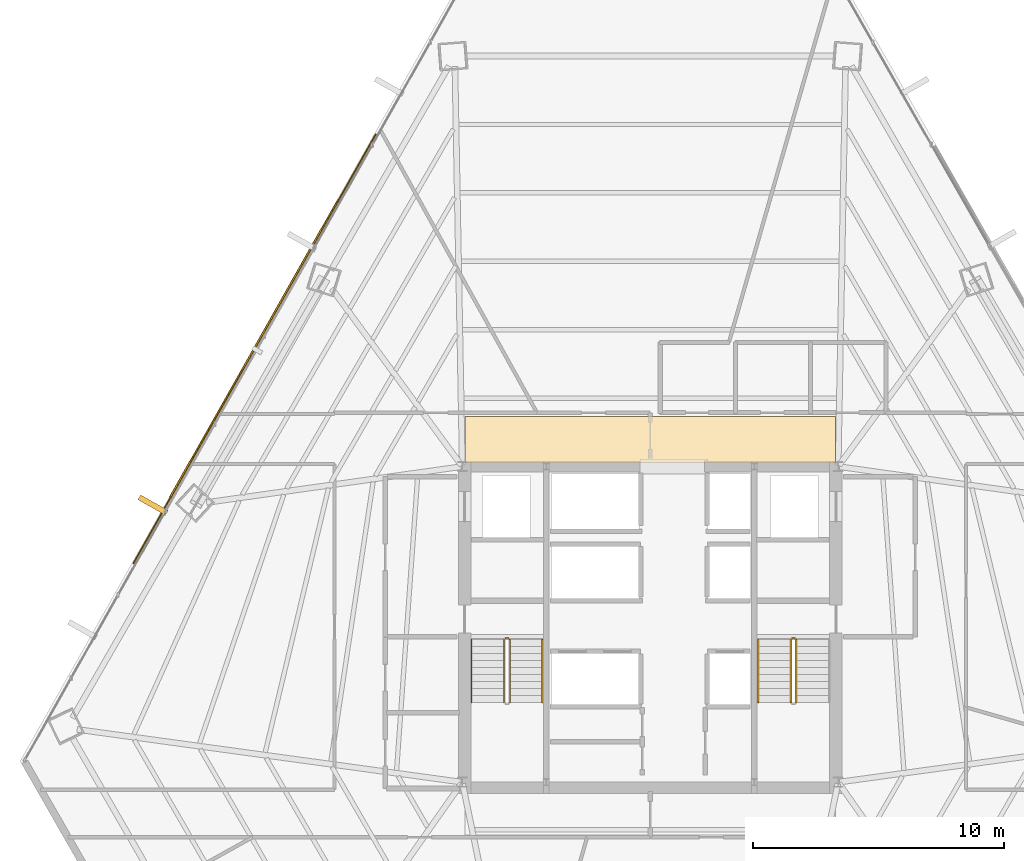
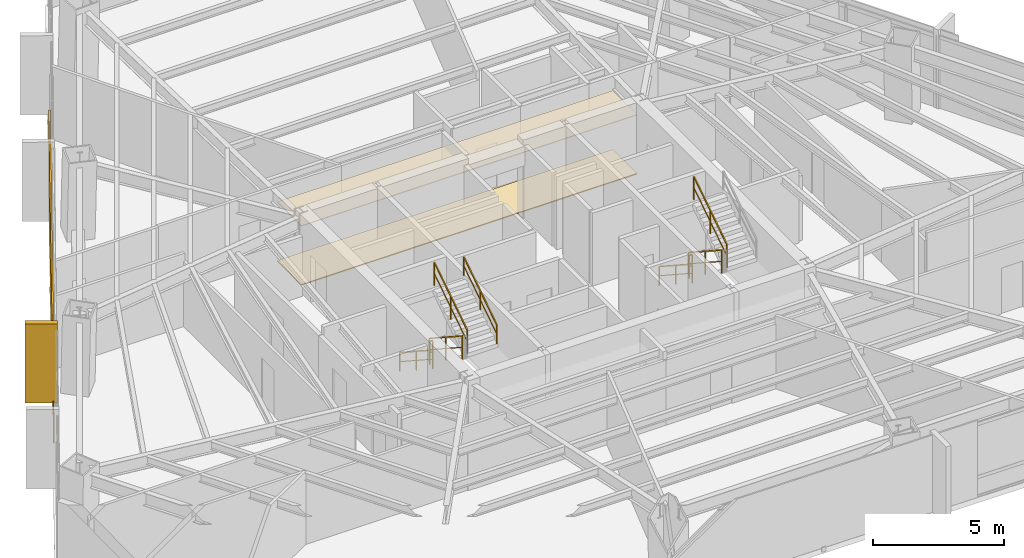
# One storey, part 34 of 35: 9 railings, 4 coverings, 1 shading device.
"""IFC4 building model written with IfcOpenShell, lengths in metres."""

from ifc_helpers import new_model, si_unit, direction, frame, origin, origin_2d, place, context, subcontext, project, spatial, polyline, rectangle, outline, extrude, source, transform, mapped, material, layer, layer_set, type_object, type_shapes, element, save


model = new_model("IFC4")

# Units and contexts
model_context = context("Model", 3, precision=1e-05, world=origin(), true_north=direction((0.0, 1.0)))
body_context = subcontext(model_context, "Body", "Model", "MODEL_VIEW")
ifc_project = project(units=[si_unit("LENGTHUNIT", "METRE"), si_unit("AREAUNIT", "SQUARE_METRE"), si_unit("VOLUMEUNIT", "CUBIC_METRE"), si_unit("PLANEANGLEUNIT", "RADIAN"), si_unit("MASSUNIT", "GRAM", prefix="KILO")], contexts=[model_context])

# Site, building, storey
site_placement = place(None, origin())
site = spatial("IfcSite", under=ifc_project, at=site_placement, CompositionType="ELEMENT")
building_placement = place(site_placement, origin())
building = spatial("IfcBuilding", under=site, at=building_placement, Name="Caelisora Broadcast Tower", CompositionType="ELEMENT")
storey_placement = place(building_placement, frame((0.0, 0.0, 87.14990234375)))
storey = spatial("IfcBuildingStorey", under=building, at=storey_placement, Name="L22", CompositionType="ELEMENT", Elevation=87.14990234375)

# Coverings
ifc_material_1 = material(Name="Perforated Mineral-Fibre Acoustic Ceiling Tile", Category="gypsum")
ifc_layer_1 = layer(ifc_material_1, 0.034912109375, Name="Perforated Mineral-Fibre Acoustic Ceiling Tile")
ifc_layer_set_1 = layer_set([ifc_layer_1], Name="Perforated Mineral-Fibre Acoustic Ceiling Tile")
covering_type_1 = type_object("IfcCoveringType", Name="CE-1", PredefinedType="CEILING", material=ifc_layer_set_1)
covering_1_placement = place(storey_placement, frame((0.0, 0.0, 2.75)))
element("IfcCovering", 1, at=covering_1_placement, inside=storey, type_object=covering_type_1, Name="L22 acoustic corridor ceiling CE-1 (N)", PredefinedType="CEILING", context=body_context, shape_type="SweptSolid", body=[
    extrude(outline(polyline([(30.60009765625, 30.14990234375), (45.39990234375, 30.14990234375), (45.39990234375, 32.0), (30.60009765625, 32.0), (30.60009765625, 30.14990234375)])), origin(), (0.0, 0.0, 1.0), 0.03515625),
])
ifc_material_2 = material(Name="Anti-Static Broadcast Raised Access Floor Panel", Category="steel")
ifc_layer_2 = layer(ifc_material_2, 0.044921875, Name="Anti-Static Broadcast Raised Access Floor Panel")
ifc_layer_set_2 = layer_set([ifc_layer_2], Name="Anti-Static Broadcast Raised Access Floor Panel")
covering_type_2 = type_object("IfcCoveringType", Name="FL-1", PredefinedType="FLOORING", material=ifc_layer_set_2)
covering_2_placement = place(storey_placement, origin())
element("IfcCovering", 2, at=covering_2_placement, inside=storey, type_object=covering_type_2, Name="L22 broadcast raised access floor FL-1 (N)", PredefinedType="FLOORING", context=body_context, shape_type="SweptSolid", body=[
    extrude(outline(polyline([(30.60009765625, 30.14990234375), (45.39990234375, 30.14990234375), (45.39990234375, 32.0), (30.60009765625, 32.0), (30.60009765625, 30.14990234375)])), origin(), (0.0, 0.0, 1.0), 0.045166015625),
])

# Railings
ifc_material_3 = material(Name="Galvanised Steel Safety Guardrail", Category="steel")
ifc_layer_3 = layer(ifc_material_3, 0.048095703125, Name="Galvanised Steel Safety Guardrail")
ifc_layer_set_3 = layer_set([ifc_layer_3], Name="Galvanised Steel Safety Guardrail")
railing_type_1 = type_object("IfcRailingType", Name="GR-1", PredefinedType="GUARDRAIL", material=ifc_layer_set_3)
railing_1_placement = place(storey_placement, frame((32.169921875, 23.10009765625, 0.1826171875)))
element("IfcRailing", 3, at=railing_1_placement, inside=storey, type_object=railing_type_1, Name="L22 ST-1 stair guard 1", PredefinedType="GUARDRAIL", context=body_context, shape_type="SweptSolid", body=[
    extrude(rectangle(XDim=0.048095703125, YDim=0.048095703125, at=origin_2d()), frame((0.0, 0.0, 1.076171875), z_axis=(0.0, -0.837749427056, 0.546054848405), x_axis=(1.0, 0.0, 0.0)), (0.0, 0.0, 1.0), 3.008056640625),
    extrude(rectangle(XDim=0.03125, YDim=0.03125, at=origin_2d()), frame((0.0, 0.0, 0.550048828125), z_axis=(0.0, -0.837749427056, 0.546054848405), x_axis=(1.0, 0.0, 0.0)), (0.0, 0.0, 1.0), 3.008056640625),
    extrude(rectangle(XDim=0.0419921875, YDim=0.0419921875, at=origin_2d()), origin(), (0.0, 0.0, 1.0), 1.052001953125),
    extrude(rectangle(XDim=0.0419921875, YDim=0.0419921875, at=origin_2d()), frame((0.0, -1.260009765625, 0.8212890625)), (0.0, 0.0, 1.0), 1.052001953125),
    extrude(rectangle(XDim=0.0419921875, YDim=0.0419921875, at=origin_2d()), frame((0.0, -2.52001953125, 1.642578125)), (0.0, 0.0, 1.0), 1.052001953125),
])
railing_2_placement = place(storey_placement, frame((32.389892578125, 20.580078125, 2.007568359375)))
element("IfcRailing", 4, at=railing_2_placement, inside=storey, type_object=railing_type_1, Name="L22 ST-1 stair guard 3", PredefinedType="GUARDRAIL", context=body_context, shape_type="SweptSolid", body=[
    extrude(rectangle(XDim=0.048095703125, YDim=0.048095703125, at=origin_2d()), frame((0.0, 0.0, 1.076171875), z_axis=(0.0, 0.837749427056, 0.546054848405), x_axis=(-1.0, 0.0, 0.0)), (0.0, 0.0, 1.0), 3.008056640625),
    extrude(rectangle(XDim=0.03125, YDim=0.03125, at=origin_2d()), frame((0.0, 0.0, 0.550048828125), z_axis=(0.0, 0.837749427056, 0.546054848405), x_axis=(-1.0, 0.0, 0.0)), (0.0, 0.0, 1.0), 3.008056640625),
    extrude(rectangle(XDim=0.0419921875, YDim=0.0419921875, at=origin_2d()), origin(), (0.0, 0.0, 1.0), 1.052001953125),
    extrude(rectangle(XDim=0.0419921875, YDim=0.0419921875, at=origin_2d()), frame((0.0, 1.260009765625, 0.8212890625)), (0.0, 0.0, 1.0), 1.052001953125),
    extrude(rectangle(XDim=0.0419921875, YDim=0.0419921875, at=origin_2d()), frame((0.0, 2.52001953125, 1.642578125)), (0.0, 0.0, 1.0), 1.052001953125),
])
railing_3_placement = place(storey_placement, frame((32.219970703125, 23.14990234375, 0.0)))
element("IfcRailing", 5, at=railing_3_placement, inside=storey, type_object=railing_type_1, Name="L22 ST-1 stair guard 4", PredefinedType="GUARDRAIL", context=body_context, shape_type="SweptSolid", body=[
    extrude(rectangle(XDim=0.048095703125, YDim=0.048095703125, at=origin_2d()), frame((0.0, 0.0, 1.076171875), z_axis=(1.0, 0.0, 0.0), x_axis=(0.0, 1.0, 0.0)), (0.0, 0.0, 1.0), 0.1201171875),
    extrude(rectangle(XDim=0.03125, YDim=0.03125, at=origin_2d()), frame((0.0, 0.0, 0.550048828125), z_axis=(1.0, 0.0, 0.0), x_axis=(0.0, 1.0, 0.0)), (0.0, 0.0, 1.0), 0.1201171875),
    extrude(rectangle(XDim=0.0419921875, YDim=0.0419921875, at=origin_2d()), origin(), (0.0, 0.0, 1.0), 1.052001953125),
    extrude(rectangle(XDim=0.0419921875, YDim=0.0419921875, at=origin_2d()), frame((0.1201171875, 0.0, 0.0)), (0.0, 0.0, 1.0), 1.052001953125),
])
railing_4_placement = place(storey_placement, frame((43.610107421875, 23.10009765625, 0.1826171875)))
element("IfcRailing", 6, at=railing_4_placement, inside=storey, type_object=railing_type_1, Name="L22 ST-2 stair guard 1", PredefinedType="GUARDRAIL", context=body_context, shape_type="SweptSolid", body=[
    extrude(rectangle(XDim=0.048095703125, YDim=0.048095703125, at=origin_2d()), frame((0.0, 0.0, 1.076171875), z_axis=(0.0, -0.837749427056, 0.546054848405), x_axis=(1.0, 0.0, 0.0)), (0.0, 0.0, 1.0), 3.008056640625),
    extrude(rectangle(XDim=0.03125, YDim=0.03125, at=origin_2d()), frame((0.0, 0.0, 0.550048828125), z_axis=(0.0, -0.837749427056, 0.546054848405), x_axis=(1.0, 0.0, 0.0)), (0.0, 0.0, 1.0), 3.008056640625),
    extrude(rectangle(XDim=0.0419921875, YDim=0.0419921875, at=origin_2d()), origin(), (0.0, 0.0, 1.0), 1.052001953125),
    extrude(rectangle(XDim=0.0419921875, YDim=0.0419921875, at=origin_2d()), frame((0.0, -1.260009765625, 0.8212890625)), (0.0, 0.0, 1.0), 1.052001953125),
    extrude(rectangle(XDim=0.0419921875, YDim=0.0419921875, at=origin_2d()), frame((0.0, -2.52001953125, 1.642578125)), (0.0, 0.0, 1.0), 1.052001953125),
])
railing_5_placement = place(storey_placement, frame((43.830078125, 20.580078125, 2.007568359375)))
element("IfcRailing", 7, at=railing_5_placement, inside=storey, type_object=railing_type_1, Name="L22 ST-2 stair guard 3", PredefinedType="GUARDRAIL", context=body_context, shape_type="SweptSolid", body=[
    extrude(rectangle(XDim=0.048095703125, YDim=0.048095703125, at=origin_2d()), frame((0.0, 0.0, 1.076171875), z_axis=(0.0, 0.837749427056, 0.546054848405), x_axis=(-1.0, 0.0, 0.0)), (0.0, 0.0, 1.0), 3.008056640625),
    extrude(rectangle(XDim=0.03125, YDim=0.03125, at=origin_2d()), frame((0.0, 0.0, 0.550048828125), z_axis=(0.0, 0.837749427056, 0.546054848405), x_axis=(-1.0, 0.0, 0.0)), (0.0, 0.0, 1.0), 3.008056640625),
    extrude(rectangle(XDim=0.0419921875, YDim=0.0419921875, at=origin_2d()), origin(), (0.0, 0.0, 1.0), 1.052001953125),
    extrude(rectangle(XDim=0.0419921875, YDim=0.0419921875, at=origin_2d()), frame((0.0, 1.260009765625, 0.8212890625)), (0.0, 0.0, 1.0), 1.052001953125),
    extrude(rectangle(XDim=0.0419921875, YDim=0.0419921875, at=origin_2d()), frame((0.0, 2.52001953125, 1.642578125)), (0.0, 0.0, 1.0), 1.052001953125),
])
railing_6_placement = place(storey_placement, frame((43.659912109375, 23.14990234375, 0.0)))
element("IfcRailing", 8, at=railing_6_placement, inside=storey, type_object=railing_type_1, Name="L22 ST-2 stair guard 4", PredefinedType="GUARDRAIL", context=body_context, shape_type="SweptSolid", body=[
    extrude(rectangle(XDim=0.048095703125, YDim=0.048095703125, at=origin_2d()), frame((0.0, 0.0, 1.076171875), z_axis=(1.0, 0.0, 0.0), x_axis=(0.0, 1.0, 0.0)), (0.0, 0.0, 1.0), 0.1201171875),
    extrude(rectangle(XDim=0.03125, YDim=0.03125, at=origin_2d()), frame((0.0, 0.0, 0.550048828125), z_axis=(1.0, 0.0, 0.0), x_axis=(0.0, 1.0, 0.0)), (0.0, 0.0, 1.0), 0.1201171875),
    extrude(rectangle(XDim=0.0419921875, YDim=0.0419921875, at=origin_2d()), origin(), (0.0, 0.0, 1.0), 1.052001953125),
    extrude(rectangle(XDim=0.0419921875, YDim=0.0419921875, at=origin_2d()), frame((0.1201171875, 0.0, 0.0)), (0.0, 0.0, 1.0), 1.052001953125),
])
ifc_material_4 = material(Name="Stainless Steel Grade 316 Tubular Handrail", Category="steel")
ifc_layer_4 = layer(ifc_material_4, 0.048095703125, Name="Stainless Steel Grade 316 Tubular Handrail")
ifc_layer_set_4 = layer_set([ifc_layer_4], Name="Stainless Steel Grade 316 Tubular Handrail")
railing_type_2 = type_object("IfcRailingType", Name="HR-1", PredefinedType="HANDRAIL", material=ifc_layer_set_4)
railing_7_placement = place(storey_placement, frame((30.8701171875, 23.10009765625, 0.1826171875)))
element("IfcRailing", 9, at=railing_7_placement, inside=storey, type_object=railing_type_2, Name="L22 ST-1 stair handrail 1", PredefinedType="HANDRAIL", context=body_context, shape_type="SweptSolid", body=[
    extrude(rectangle(XDim=0.048095703125, YDim=0.048095703125, at=origin_2d()), frame((0.0, 0.0, 0.8759765625), z_axis=(0.0, -0.837749427056, 0.546054848405), x_axis=(1.0, 0.0, 0.0)), (0.0, 0.0, 1.0), 3.008056640625),
    extrude(rectangle(XDim=0.03125, YDim=0.03125, at=origin_2d()), frame((0.0, 0.0, 0.449951171875), z_axis=(0.0, -0.837749427056, 0.546054848405), x_axis=(1.0, 0.0, 0.0)), (0.0, 0.0, 1.0), 3.008056640625),
    extrude(rectangle(XDim=0.0419921875, YDim=0.0419921875, at=origin_2d()), origin(), (0.0, 0.0, 1.0), 0.851806640625),
    extrude(rectangle(XDim=0.0419921875, YDim=0.0419921875, at=origin_2d()), frame((0.0, -1.260009765625, 0.8212890625)), (0.0, 0.0, 1.0), 0.851806640625),
    extrude(rectangle(XDim=0.0419921875, YDim=0.0419921875, at=origin_2d()), frame((0.0, -2.52001953125, 1.642578125)), (0.0, 0.0, 1.0), 0.851806640625),
])
railing_8_placement = place(storey_placement, frame((33.68994140625, 20.580078125, 2.007568359375)))
element("IfcRailing", 10, at=railing_8_placement, inside=storey, type_object=railing_type_2, Name="L22 ST-1 stair handrail 2", PredefinedType="HANDRAIL", context=body_context, shape_type="SweptSolid", body=[
    extrude(rectangle(XDim=0.048095703125, YDim=0.048095703125, at=origin_2d()), frame((0.0, 0.0, 0.8759765625), z_axis=(0.0, 0.837749427056, 0.546054848405), x_axis=(-1.0, 0.0, 0.0)), (0.0, 0.0, 1.0), 3.008056640625),
    extrude(rectangle(XDim=0.03125, YDim=0.03125, at=origin_2d()), frame((0.0, 0.0, 0.449951171875), z_axis=(0.0, 0.837749427056, 0.546054848405), x_axis=(-1.0, 0.0, 0.0)), (0.0, 0.0, 1.0), 3.008056640625),
    extrude(rectangle(XDim=0.0419921875, YDim=0.0419921875, at=origin_2d()), origin(), (0.0, 0.0, 1.0), 0.851806640625),
    extrude(rectangle(XDim=0.0419921875, YDim=0.0419921875, at=origin_2d()), frame((0.0, 1.260009765625, 0.8212890625)), (0.0, 0.0, 1.0), 0.851806640625),
    extrude(rectangle(XDim=0.0419921875, YDim=0.0419921875, at=origin_2d()), frame((0.0, 2.52001953125, 1.642578125)), (0.0, 0.0, 1.0), 0.851806640625),
])
railing_9_placement = place(storey_placement, frame((42.31005859375, 23.10009765625, 0.1826171875)))
element("IfcRailing", 11, at=railing_9_placement, inside=storey, type_object=railing_type_2, Name="L22 ST-2 stair handrail 1", PredefinedType="HANDRAIL", context=body_context, shape_type="SweptSolid", body=[
    extrude(rectangle(XDim=0.048095703125, YDim=0.048095703125, at=origin_2d()), frame((0.0, 0.0, 0.8759765625), z_axis=(0.0, -0.837749427056, 0.546054848405), x_axis=(1.0, 0.0, 0.0)), (0.0, 0.0, 1.0), 3.008056640625),
    extrude(rectangle(XDim=0.03125, YDim=0.03125, at=origin_2d()), frame((0.0, 0.0, 0.449951171875), z_axis=(0.0, -0.837749427056, 0.546054848405), x_axis=(1.0, 0.0, 0.0)), (0.0, 0.0, 1.0), 3.008056640625),
    extrude(rectangle(XDim=0.0419921875, YDim=0.0419921875, at=origin_2d()), origin(), (0.0, 0.0, 1.0), 0.851806640625),
    extrude(rectangle(XDim=0.0419921875, YDim=0.0419921875, at=origin_2d()), frame((0.0, -1.260009765625, 0.8212890625)), (0.0, 0.0, 1.0), 0.851806640625),
    extrude(rectangle(XDim=0.0419921875, YDim=0.0419921875, at=origin_2d()), frame((0.0, -2.52001953125, 1.642578125)), (0.0, 0.0, 1.0), 0.851806640625),
])

# Covering
ifc_material_5 = material(Name="Kiln-Fired Terracotta Spandrel Rainscreen Cladding", Category="ceramic")
ifc_layer_5 = layer(ifc_material_5, 0.044921875, Name="Kiln-Fired Terracotta Spandrel Rainscreen Cladding")
ifc_layer_set_5 = layer_set([ifc_layer_5], Name="Kiln-Fired Terracotta Spandrel Rainscreen Cladding")
covering_type_3 = type_object("IfcCoveringType", Name="CL-1", PredefinedType="CLADDING", material=ifc_layer_set_5)
shared_shape_1 = source(origin(), body_context, "Body", "SweptSolid", [
    extrude(rectangle(XDim=0.219970703125, YDim=1.25, at=origin_2d()), origin(), (0.0, 0.0, 1.0), 3.68994140625),
])
covering_3_placement = place(storey_placement, frame((18.151611328125, 28.464111328125, -0.019775390625), z_axis=(0.0, 0.0, 1.0), x_axis=(0.49181581725, 0.870699260309, 0.0)))
element("IfcCovering", 12, at=covering_3_placement, inside=storey, type_object=covering_type_3, Name="L22 vertical solar fin cladding #3-2", PredefinedType="CLADDING", context=body_context, shape_type="MappedRepresentation", body=[
    mapped(shared_shape_1, transform((0.0, 0.0, 0.0), scale=1.0)),
])

# Shading device
ifc_material_6 = material(Name="Perforated Glazed Terracotta Baguette Solar Screen", Category="ceramic")
ifc_layer_6 = layer(ifc_material_6, 0.06494140625, Name="Perforated Glazed Terracotta Baguette Solar Screen")
ifc_layer_set_6 = layer_set([ifc_layer_6], Name="Perforated Glazed Terracotta Baguette Solar Screen")
shading_device_type = type_object("IfcShadingDeviceType", Name="SS-1", PredefinedType="USERDEFINED", material=ifc_layer_set_6)
shared_shape_2 = source(origin(), body_context, "Body", "SweptSolid", [
    extrude(rectangle(XDim=13.6298828125, YDim=0.06494140625, at=origin_2d()), origin(), (0.0, 0.0, 1.0), 3.590087890625),
])
type_shapes(shading_device_type, [shared_shape_2])
shading_device_placement = place(storey_placement, frame((22.19287109375, 34.704345703125, 0.0), z_axis=(0.0, 0.0, 1.0), x_axis=(-0.49181581725, -0.870699260309, 0.0)))
element("IfcShadingDevice", 13, at=shading_device_placement, inside=storey, type_object=shading_device_type, Name="L22 perforated terracotta solar screen #1", ObjectType="SOLAR SCREEN", PredefinedType="USERDEFINED", context=body_context, shape_type="MappedRepresentation", body=[
    mapped(shared_shape_2, transform((0.0, 0.0, 0.0), scale=1.0)),
])

# Covering
shared_shape_3 = source(origin(), body_context, "Body", "SweptSolid", [
    extrude(rectangle(XDim=19.68798828125, YDim=0.044921875, at=origin_2d()), origin(), (0.0, 0.0, 1.0), 0.340087890625),
])
type_shapes(covering_type_3, [shared_shape_1, shared_shape_3])
covering_4_placement = place(storey_placement, frame((22.210205078125, 34.694580078125, -0.27001953125), z_axis=(0.0, 0.0, 1.0), x_axis=(-0.49181581725, -0.870699260309, 0.0)))
element("IfcCovering", 14, at=covering_4_placement, inside=storey, type_object=covering_type_3, Name="L22 terracotta spandrel rainscreen #1", PredefinedType="CLADDING", context=body_context, shape_type="MappedRepresentation", body=[
    mapped(shared_shape_3, transform((0.0, 0.0, 0.0), scale=1.0)),
])

save(model, "model.ifc")
